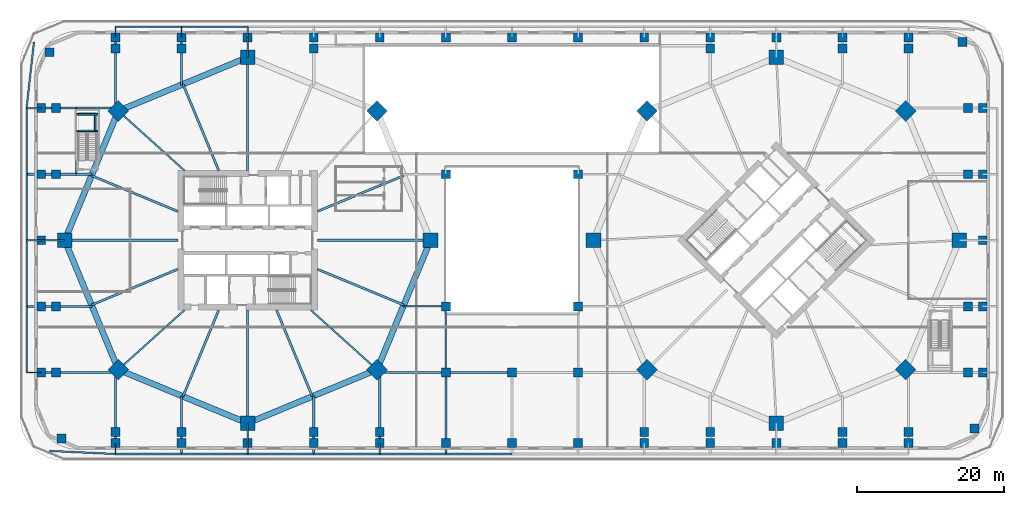
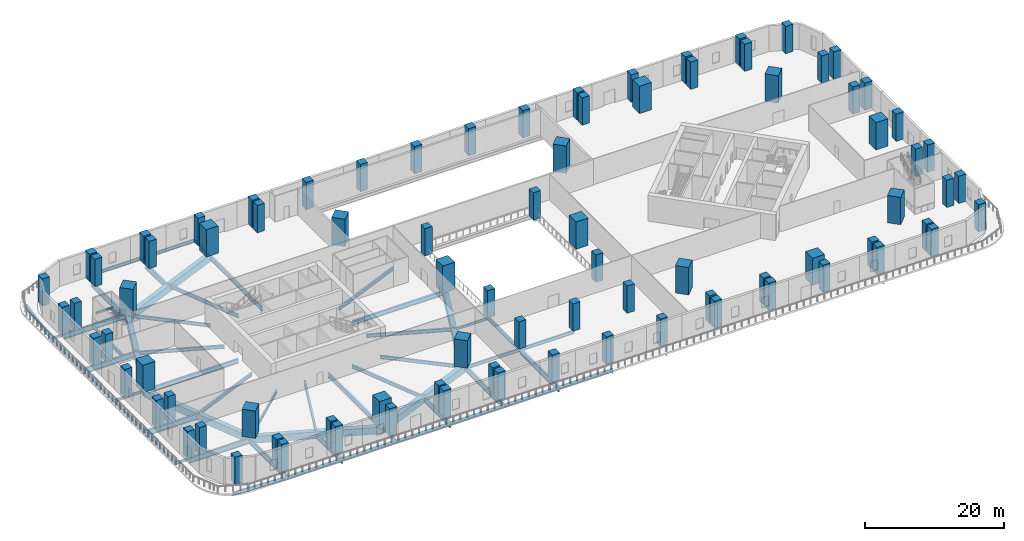
# One storey, part 1 of 17: 85 columns, 65 beams.
"""IFC4 building model written with IfcOpenShell, lengths in metres."""

from ifc_helpers import new_model, si_unit, direction, frame, origin, origin_2d, place, context, subcontext, project, spatial, rectangle, hollow_rectangle, i_section, extrude, material, material_profile, profile_set, type_object, element, save


model = new_model("IFC4")

# Units and contexts
model_context = context("Model", 3, precision=1e-05, world=origin(), true_north=direction((0.0, 1.0)))
body_context = subcontext(model_context, "Body", "Model", "MODEL_VIEW")
ifc_project = project(units=[si_unit("LENGTHUNIT", "METRE"), si_unit("AREAUNIT", "SQUARE_METRE"), si_unit("VOLUMEUNIT", "CUBIC_METRE"), si_unit("PLANEANGLEUNIT", "RADIAN"), si_unit("MASSUNIT", "GRAM", prefix="KILO")], contexts=[model_context])

# Site, building, storey
site_placement = place(None, origin())
site = spatial("IfcSite", under=ifc_project, at=site_placement, CompositionType="ELEMENT")
building_placement = place(site_placement, origin())
building = spatial("IfcBuilding", under=site, at=building_placement, Name="Ogive Gate Towers", CompositionType="ELEMENT")
storey_placement = place(building_placement, frame((0.0, 0.0, 18.0)))
storey = spatial("IfcBuildingStorey", under=building, at=storey_placement, Name="L03", CompositionType="ELEMENT", Elevation=18.0)

# Columns
ifc_material_1 = material(Name="Concrete C50/60", Category="concrete")
ifc_material_profile_1 = material_profile(ifc_material_1, rectangle(XDim=1.199951171875, YDim=1.199951171875, at=origin_2d()), Name="RC 1200x1200")
ifc_profile_set_1 = profile_set([ifc_material_profile_1], Name="Concrete C50/60")
column_type_1 = type_object("IfcColumnType", Name="Column RC 1200x1200", PredefinedType="COLUMN", material=ifc_profile_set_1)
for number, where, z_axis, x_axis, name in (
    (1, (-64.10009765625, -18.0, 0.0), (0.0, 0.0, 1.0), (1.0, 0.0, 0.0), "PD/L03/SCL001"),
    (2, (-64.10009765625, -9.0, 0.0), (0.0, 0.0, 1.0), (1.0, 0.0, 0.0), "PD/L03/SCL002"),
    (3, (-64.10009765625, 0.0, 0.0), (0.0, 0.0, 1.0), (1.0, 0.0, 0.0), "PD/L03/SCL003"),
    (4, (-64.10009765625, 9.0, 0.0), (0.0, 0.0, 1.0), (1.0, 0.0, 0.0), "PD/L03/SCL004"),
    (5, (-64.10009765625, 18.0, 0.0), (0.0, 0.0, 1.0), (1.0, 0.0, 0.0), "PD/L03/SCL005"),
    (6, (-63.0, 25.61962890625, 0.0), (0.0, 0.0, 1.0), (1.0, 0.0, 0.0), "PD/L03/SCL006"),
    (7, (-62.10009765625, -18.0, 0.0), (0.0, 0.0, 1.0), (1.0, 0.0, 0.0), "PD/L03/SCL007"),
    (8, (-62.10009765625, -9.0, 0.0), (0.0, 0.0, 1.0), (1.0, 0.0, 0.0), "PD/L03/SCL008"),
    (9, (-62.10009765625, 9.0, 0.0), (0.0, 0.0, 1.0), (1.0, 0.0, 0.0), "PD/L03/SCL009"),
    (10, (-62.10009765625, 18.0, 0.0), (0.0, 0.0, 1.0), (1.0, 0.0, 0.0), "PD/L03/SCL010"),
    (11, (-61.338623046875, -27.0, 0.0), (0.0, 0.0, 1.0), (1.0, 0.0, 0.0), "PD/L03/SCL011"),
    (12, (-54.0, -27.60009765625, 0.0), (0.0, 0.0, 1.0), (1.0, 0.0, 0.0), "PD/L03/SCL012"),
    (13, (-54.0, -26.10009765625, 0.0), (0.0, 0.0, 1.0), (1.0, 0.0, 0.0), "PD/L03/SCL013"),
    (14, (-54.0, 26.10009765625, 0.0), (0.0, 0.0, 1.0), (1.0, 0.0, 0.0), "PD/L03/SCL014"),
    (15, (-54.0, 27.60009765625, 0.0), (0.0, 0.0, 1.0), (1.0, 0.0, 0.0), "PD/L03/SCL015"),
    (16, (-45.0, -27.60009765625, 0.0), (0.0, 0.0, 1.0), (1.0, 0.0, 0.0), "PD/L03/SCL016"),
    (17, (-45.0, -26.10009765625, 0.0), (0.0, 0.0, 1.0), (1.0, 0.0, 0.0), "PD/L03/SCL017"),
    (18, (-45.0, 26.10009765625, 0.0), (0.0, 0.0, 1.0), (1.0, 0.0, 0.0), "PD/L03/SCL018"),
    (19, (-45.0, 27.60009765625, 0.0), (0.0, 0.0, 1.0), (1.0, 0.0, 0.0), "PD/L03/SCL019"),
    (20, (-36.0, -27.60009765625, 0.0), (0.0, 0.0, 1.0), (1.0, 0.0, 0.0), "PD/L03/SCL020"),
    (21, (-36.0, 27.60009765625, 0.0), (0.0, 0.0, 1.0), (1.0, 0.0, 0.0), "PD/L03/SCL021"),
    (22, (-27.0, -27.60009765625, 0.0), (0.0, 0.0, 1.0), (1.0, 0.0, 0.0), "PD/L03/SCL022"),
    (23, (-27.0, -26.10009765625, 0.0), (0.0, 0.0, 1.0), (1.0, 0.0, 0.0), "PD/L03/SCL023"),
    (24, (-27.0, 26.10009765625, 0.0), (0.0, 0.0, 1.0), (1.0, 0.0, 0.0), "PD/L03/SCL024"),
    (25, (-27.0, 27.60009765625, 0.0), (0.0, 0.0, 1.0), (1.0, 0.0, 0.0), "PD/L03/SCL025"),
    (26, (-18.0, -27.60009765625, 0.0), (0.0, 0.0, 1.0), (1.0, 0.0, 0.0), "PD/L03/SCL026"),
    (27, (-18.0, -26.10009765625, 0.0), (0.0, 0.0, 1.0), (1.0, 0.0, 0.0), "PD/L03/SCL027"),
    (28, (-18.0, 27.60009765625, 0.0), (0.0, 0.0, 1.0), (1.0, 0.0, 0.0), "PD/L03/SCL028"),
    (29, (-9.0, -27.60009765625, 0.0), (0.0, 0.0, 1.0), (1.0, 0.0, 0.0), "PD/L03/SCL029"),
    (30, (-9.0, -18.0, 0.0), (0.0, 0.0, 1.0), (1.0, 0.0, 0.0), "PD/L03/SCL030"),
    (31, (-9.0, -9.0, 0.0), (0.0, 0.0, 1.0), (1.0, 0.0, 0.0), "PD/L03/SCL031"),
    (32, (-9.0, 9.0, 0.0), (0.0, 0.0, 1.0), (1.0, 0.0, 0.0), "PD/L03/SCL032"),
    (33, (-9.0, 27.60009765625, 0.0), (0.0, 0.0, 1.0), (1.0, 0.0, 0.0), "PD/L03/SCL033"),
    (34, (0.0, -27.60009765625, 0.0), (0.0, 0.0, 1.0), (1.0, 0.0, 0.0), "PD/L03/SCL034"),
    (35, (0.0, -18.0, 0.0), (0.0, 0.0, 1.0), (1.0, 0.0, 0.0), "PD/L03/SCL035"),
    (36, (0.0, 27.60009765625, 0.0), (0.0, 0.0, 1.0), (1.0, 0.0, 0.0), "PD/L03/SCL036"),
    (37, (9.0, -27.60009765625, 0.0), (0.0, 0.0, 1.0), (1.0, 0.0, 0.0), "PD/L03/SCL037"),
    (38, (9.0, -18.0, 0.0), (0.0, 0.0, 1.0), (1.0, 0.0, 0.0), "PD/L03/SCL038"),
    (39, (9.0, -9.0, 0.0), (0.0, 0.0, 1.0), (1.0, 0.0, 0.0), "PD/L03/SCL039"),
    (40, (9.0, 9.0, 0.0), (0.0, 0.0, 1.0), (1.0, 0.0, 0.0), "PD/L03/SCL040"),
    (41, (9.0, 27.60009765625, 0.0), (0.0, 0.0, 1.0), (1.0, 0.0, 0.0), "PD/L03/SCL041"),
    (42, (18.0, -27.60009765625, 0.0), (0.0, 0.0, 1.0), (1.0, 0.0, 0.0), "PD/L03/SCL042"),
    (43, (18.0, -26.10009765625, 0.0), (0.0, 0.0, 1.0), (1.0, 0.0, 0.0), "PD/L03/SCL043"),
    (44, (18.0, 27.60009765625, 0.0), (0.0, 0.0, 1.0), (1.0, 0.0, 0.0), "PD/L03/SCL044"),
    (45, (27.0, -27.60009765625, 0.0), (0.0, 0.0, 1.0), (1.0, 0.0, 0.0), "PD/L03/SCL045"),
    (46, (27.0, -26.10009765625, 0.0), (0.0, 0.0, 1.0), (1.0, 0.0, 0.0), "PD/L03/SCL046"),
    (47, (27.0, 26.10009765625, 0.0), (0.0, 0.0, 1.0), (1.0, 0.0, 0.0), "PD/L03/SCL047"),
    (48, (27.0, 27.60009765625, 0.0), (0.0, 0.0, 1.0), (1.0, 0.0, 0.0), "PD/L03/SCL048"),
    (49, (36.0, -27.60009765625, 0.0), (0.0, 0.0, 1.0), (1.0, 0.0, 0.0), "PD/L03/SCL049"),
    (50, (36.0, 27.60009765625, 0.0), (0.0, 0.0, 1.0), (1.0, 0.0, 0.0), "PD/L03/SCL050"),
    (51, (45.0, -27.60009765625, 0.0), (0.0, 0.0, 1.0), (1.0, 0.0, 0.0), "PD/L03/SCL051"),
    (52, (45.0, -26.10009765625, 0.0), (0.0, 0.0, 1.0), (1.0, 0.0, 0.0), "PD/L03/SCL052"),
    (53, (45.0, 26.10009765625, 0.0), (0.0, 0.0, 1.0), (1.0, 0.0, 0.0), "PD/L03/SCL053"),
    (54, (45.0, 27.60009765625, 0.0), (0.0, 0.0, 1.0), (1.0, 0.0, 0.0), "PD/L03/SCL054"),
    (55, (54.0, -27.60009765625, 0.0), (0.0, 0.0, 1.0), (1.0, 0.0, 0.0), "PD/L03/SCL055"),
    (56, (54.0, -26.10009765625, 0.0), (0.0, 0.0, 1.0), (1.0, 0.0, 0.0), "PD/L03/SCL056"),
    (57, (54.0, 26.10009765625, 0.0), (0.0, 0.0, 1.0), (1.0, 0.0, 0.0), "PD/L03/SCL057"),
    (58, (54.0, 27.60009765625, 0.0), (0.0, 0.0, 1.0), (1.0, 0.0, 0.0), "PD/L03/SCL058"),
    (59, (61.338623046875, 27.0, 0.0), (0.0, 0.0, 1.0), (1.0, 0.0, 0.0), "PD/L03/SCL059"),
    (60, (62.10009765625, -18.0, 0.0), (0.0, 0.0, 1.0), (1.0, 0.0, 0.0), "PD/L03/SCL060"),
    (61, (62.10009765625, -9.0, 0.0), (0.0, 0.0, 1.0), (1.0, 0.0, 0.0), "PD/L03/SCL061"),
    (62, (62.10009765625, 9.0, 0.0), (0.0, 0.0, 1.0), (1.0, 0.0, 0.0), "PD/L03/SCL062"),
    (63, (62.10009765625, 18.0, 0.0), (0.0, 0.0, 1.0), (1.0, 0.0, 0.0), "PD/L03/SCL063"),
    (64, (63.0, -25.61962890625, 0.0), (0.0, 0.0, 1.0), (1.0, 0.0, 0.0), "PD/L03/SCL064"),
    (65, (64.10009765625, -18.0, 0.0), (0.0, 0.0, 1.0), (1.0, 0.0, 0.0), "PD/L03/SCL065"),
    (66, (64.10009765625, -9.0, 0.0), (0.0, 0.0, 1.0), (1.0, 0.0, 0.0), "PD/L03/SCL066"),
    (67, (64.10009765625, 0.0, 0.0), (0.0, 0.0, 1.0), (1.0, 0.0, 0.0), "PD/L03/SCL067"),
    (68, (64.10009765625, 9.0, 0.0), (0.0, 0.0, 1.0), (1.0, 0.0, 0.0), "PD/L03/SCL068"),
    (69, (64.10009765625, 18.0, 0.0), (0.0, 0.0, 1.0), (1.0, 0.0, 0.0), "PD/L03/SCL069"),
):
    element("IfcColumn", number, at=place(storey_placement, frame(where, z_axis=z_axis, x_axis=x_axis)), inside=storey, type_object=column_type_1, Name=name, PredefinedType="COLUMN", context=body_context, shape_type="SweptSolid", body=[
        extrude(rectangle(XDim=1.199951171875, YDim=1.199951171875, at=origin_2d()), origin(), (0.0, 0.0, 1.0), 4.800048828125),
    ])
ifc_material_2 = material(Name="Concrete C70/85", Category="concrete")
ifc_material_profile_2 = material_profile(ifc_material_2, rectangle(XDim=2.0, YDim=2.0, at=origin_2d()), Name="RC 2000x2000")
ifc_profile_set_2 = profile_set([ifc_material_profile_2], Name="Concrete C70/85")
column_type_2 = type_object("IfcColumnType", Name="Mega column 2000 x 2000", PredefinedType="COLUMN", material=ifc_profile_set_2)
for number, where, z_axis, x_axis, name in (
    (70, (-11.090087890625, 0.0, 0.0), (0.0, 0.0, 1.0), (1.0, 0.0, 0.0), "T1/L03/SCL001"),
    (71, (-18.385986328125, 17.614013671875, 0.0), (0.0, 0.0, 1.0), (0.707106781187, 0.707106781187, 0.0), "T1/L03/SCL002"),
    (72, (-36.0, 24.909912109375, 0.0), (0.0, 0.0, 1.0), (0.0, 1.0, 0.0), "T1/L03/SCL003"),
    (73, (-53.614013671875, 17.614013671875, 0.0), (0.0, 0.0, 1.0), (-0.707106781187, 0.707106781187, 0.0), "T1/L03/SCL004"),
    (74, (-60.909912109375, 0.0, 0.0), (0.0, 0.0, 1.0), (-1.0, 0.0, 0.0), "T1/L03/SCL005"),
    (75, (-53.614013671875, -17.614013671875, 0.0), (0.0, 0.0, 1.0), (-0.707106781187, -0.707106781187, 0.0), "T1/L03/SCL006"),
    (76, (-36.0, -24.909912109375, 0.0), (0.0, 0.0, 1.0), (0.0, -1.0, 0.0), "T1/L03/SCL007"),
    (77, (-18.385986328125, -17.614013671875, 0.0), (0.0, 0.0, 1.0), (0.707106781187, -0.707106781187, 0.0), "T1/L03/SCL008"),
    (78, (60.909912109375, 0.0, 0.0), (0.0, 0.0, 1.0), (1.0, 0.0, 0.0), "T2/L03/SCL001"),
    (79, (53.614013671875, 17.614013671875, 0.0), (0.0, 0.0, 1.0), (0.707106781187, 0.707106781187, 0.0), "T2/L03/SCL002"),
    (80, (36.0, 24.909912109375, 0.0), (0.0, 0.0, 1.0), (0.0, 1.0, 0.0), "T2/L03/SCL003"),
    (81, (18.385986328125, 17.614013671875, 0.0), (0.0, 0.0, 1.0), (-0.707106781187, 0.707106781187, 0.0), "T2/L03/SCL004"),
    (82, (11.090087890625, 0.0, 0.0), (0.0, 0.0, 1.0), (-1.0, 0.0, 0.0), "T2/L03/SCL005"),
    (83, (18.385986328125, -17.614013671875, 0.0), (0.0, 0.0, 1.0), (-0.707106781187, -0.707106781187, 0.0), "T2/L03/SCL006"),
    (84, (36.0, -24.909912109375, 0.0), (0.0, 0.0, 1.0), (0.0, -1.0, 0.0), "T2/L03/SCL007"),
    (85, (53.614013671875, -17.614013671875, 0.0), (0.0, 0.0, 1.0), (0.707106781187, -0.707106781187, 0.0), "T2/L03/SCL008"),
):
    element("IfcColumn", number, at=place(storey_placement, frame(where, z_axis=z_axis, x_axis=x_axis)), inside=storey, type_object=column_type_2, Name=name, PredefinedType="COLUMN", context=body_context, shape_type="SweptSolid", body=[
        extrude(rectangle(XDim=2.0, YDim=2.0, at=origin_2d()), origin(), (0.0, 0.0, 1.0), 4.800048828125),
    ])

# Beams
ifc_material_3 = material(Name="Steel SM460", Category="steel")
ifc_material_profile_3 = material_profile(ifc_material_3, hollow_rectangle(XDim=0.800048828125, YDim=1.199951171875, WallThickness=0.050048828125, at=origin_2d()), Name="BX 1200x800x50")
ifc_profile_set_3 = profile_set([ifc_material_profile_3], Name="Steel SM460")
beam_type_1 = type_object("IfcBeamType", Name="Edge girder BX 1200x800x50", PredefinedType="BEAM", material=ifc_profile_set_3)
for number, where, z_axis, x_axis, name in (
    (86, (-53.614013671875, -17.614013671875, -0.89990234375), (0.923880736283, -0.382680526191, 0.0), (0.382680526191, 0.923880736283, 0.0), "T1/L03/SBM017"),
    (87, (-36.0, -24.909912109375, -0.89990234375), (0.923880736283, 0.382680526191, 0.0), (-0.382680526191, 0.923880736283, 0.0), "T1/L03/SBM018"),
    (88, (-18.385986328125, -17.614013671875, -0.89990234375), (0.382680526191, 0.923880736283, 0.0), (-0.923880736283, 0.382680526191, 0.0), "T1/L03/SBM019"),
    (89, (-36.0, 24.909912109375, -0.89990234375), (-0.923880736283, -0.382680526191, 0.0), (0.382680526191, -0.923880736283, 0.0), "T1/L03/SBM022"),
    (90, (-53.614013671875, 17.614013671875, -0.89990234375), (-0.382680526191, -0.923880736283, 0.0), (0.923880736283, -0.382680526191, 0.0), "T1/L03/SBM023"),
    (91, (-60.909912109375, 0.0, -0.89990234375), (0.382680526191, -0.923880736283, 0.0), (0.923880736283, 0.382680526191, 0.0), "T1/L03/SBM024"),
):
    element("IfcBeam", number, at=place(storey_placement, frame(where, z_axis=z_axis, x_axis=x_axis)), inside=storey, type_object=beam_type_1, Name=name, PredefinedType="BEAM", context=body_context, shape_type="SweptSolid", body=[
        extrude(hollow_rectangle(XDim=0.800048828125, YDim=1.199951171875, WallThickness=0.050048828125, at=origin_2d()), origin(), (0.0, 0.0, 1.0), 19.065185546875),
    ])
ifc_material_4 = material(Name="Steel SM355", Category="steel")
ifc_material_profile_4 = material_profile(ifc_material_4, i_section(OverallWidth=0.18994140625, OverallDepth=0.449951171875, WebThickness=0.009521484375, FlangeThickness=0.0146484375, FilletRadius=0.02099609375, at=origin_2d()), Name="IPE 450")
ifc_profile_set_4 = profile_set([ifc_material_profile_4], Name="Steel SM355")
beam_type_2 = type_object("IfcBeamType", Name="Floor beam IPE 450", PredefinedType="BEAM", material=ifc_profile_set_4)
for number, where, z_axis, x_axis, name in (
    (92, (-54.0, -29.10009765625, -0.52490234375), (0.0, 1.0, 0.0), (-1.0, 0.0, 0.0), "PD/L03/SBM026"),
    (93, (-54.0, 27.60009765625, -0.52490234375), (0.0, 1.0, 0.0), (-1.0, 0.0, 0.0), "PD/L03/SBM027"),
    (94, (-45.0, 27.60009765625, -0.52490234375), (0.0, 1.0, 0.0), (-1.0, 0.0, 0.0), "PD/L03/SBM028"),
    (95, (-36.0, -29.10009765625, -0.52490234375), (0.0, 1.0, 0.0), (-1.0, 0.0, 0.0), "PD/L03/SBM029"),
):
    element("IfcBeam", number, at=place(storey_placement, frame(where, z_axis=z_axis, x_axis=x_axis)), inside=storey, type_object=beam_type_2, Name=name, PredefinedType="BEAM", context=body_context, shape_type="SweptSolid", body=[
        extrude(i_section(OverallWidth=0.18994140625, OverallDepth=0.449951171875, WebThickness=0.009521484375, FlangeThickness=0.0146484375, FilletRadius=0.02099609375, at=origin_2d()), origin(), (0.0, 0.0, 1.0), 1.5),
    ])
for number, where, z_axis, x_axis, name in (
    (96, (-36.0, -27.60009765625, -0.52490234375), (0.0, 1.0, 0.0), (-1.0, 0.0, 0.0), "PD/L03/SBM030"),
    (97, (-36.0, 24.909912109375, -0.52490234375), (0.0, 1.0, 0.0), (-1.0, 0.0, 0.0), "PD/L03/SBM031"),
):
    element("IfcBeam", number, at=place(storey_placement, frame(where, z_axis=z_axis, x_axis=x_axis)), inside=storey, type_object=beam_type_2, Name=name, PredefinedType="BEAM", context=body_context, shape_type="SweptSolid", body=[
        extrude(i_section(OverallWidth=0.18994140625, OverallDepth=0.449951171875, WebThickness=0.009521484375, FlangeThickness=0.0146484375, FilletRadius=0.02099609375, at=origin_2d()), origin(), (0.0, 0.0, 1.0), 2.690185546875),
    ])
for number, where, z_axis, x_axis, name in (
    (98, (-36.0, 27.60009765625, -0.52490234375), (0.0, 1.0, 0.0), (-1.0, 0.0, 0.0), "PD/L03/SBM032"),
    (99, (-18.0, -29.10009765625, -0.52490234375), (0.0, 1.0, 0.0), (-1.0, 0.0, 0.0), "PD/L03/SBM034"),
):
    element("IfcBeam", number, at=place(storey_placement, frame(where, z_axis=z_axis, x_axis=x_axis)), inside=storey, type_object=beam_type_2, Name=name, PredefinedType="BEAM", context=body_context, shape_type="SweptSolid", body=[
        extrude(i_section(OverallWidth=0.18994140625, OverallDepth=0.449951171875, WebThickness=0.009521484375, FlangeThickness=0.0146484375, FilletRadius=0.02099609375, at=origin_2d()), origin(), (0.0, 0.0, 1.0), 1.5),
    ])
for number, where, z_axis, x_axis, name in (
    (100, (-66.10009765625, -18.0, -0.52490234375), (1.0, 0.0, 0.0), (0.0, 1.0, 0.0), "PD/L03/SBM051"),
    (101, (-66.10009765625, 0.0, -0.52490234375), (1.0, 0.0, 0.0), (0.0, 1.0, 0.0), "PD/L03/SBM058"),
):
    element("IfcBeam", number, at=place(storey_placement, frame(where, z_axis=z_axis, x_axis=x_axis)), inside=storey, type_object=beam_type_2, Name=name, PredefinedType="BEAM", context=body_context, shape_type="SweptSolid", body=[
        extrude(i_section(OverallWidth=0.18994140625, OverallDepth=0.449951171875, WebThickness=0.009521484375, FlangeThickness=0.0146484375, FilletRadius=0.02099609375, at=origin_2d()), origin(), (0.0, 0.0, 1.0), 2.0),
    ])
beam_1_placement = place(storey_placement, frame((-64.10009765625, 0.0, -0.52490234375), z_axis=(1.0, 0.0, 0.0), x_axis=(0.0, 1.0, 0.0)))
element("IfcBeam", 102, at=beam_1_placement, inside=storey, type_object=beam_type_2, Name="PD/L03/SBM059", PredefinedType="BEAM", context=body_context, shape_type="SweptSolid", body=[
    extrude(i_section(OverallWidth=0.18994140625, OverallDepth=0.449951171875, WebThickness=0.009521484375, FlangeThickness=0.0146484375, FilletRadius=0.02099609375, at=origin_2d()), origin(), (0.0, 0.0, 1.0), 3.190185546875),
])
beam_2_placement = place(storey_placement, frame((-66.10009765625, 18.0, -0.52490234375), z_axis=(1.0, 0.0, 0.0), x_axis=(0.0, 1.0, 0.0)))
element("IfcBeam", 103, at=beam_2_placement, inside=storey, type_object=beam_type_2, Name="PD/L03/SBM063", PredefinedType="BEAM", context=body_context, shape_type="SweptSolid", body=[
    extrude(i_section(OverallWidth=0.18994140625, OverallDepth=0.449951171875, WebThickness=0.009521484375, FlangeThickness=0.0146484375, FilletRadius=0.02099609375, at=origin_2d()), origin(), (0.0, 0.0, 1.0), 2.0),
])
beam_3_placement = place(storey_placement, frame((-9.0, -9.0, -0.52490234375), z_axis=(-1.0, 0.0, 0.0), x_axis=(0.0, -1.0, 0.0)))
element("IfcBeam", 104, at=beam_3_placement, inside=storey, type_object=beam_type_2, Name="PD/L03/SBM101", PredefinedType="BEAM", context=body_context, shape_type="SweptSolid", body=[
    extrude(i_section(OverallWidth=0.18994140625, OverallDepth=0.449951171875, WebThickness=0.009521484375, FlangeThickness=0.0146484375, FilletRadius=0.02099609375, at=origin_2d()), origin(), (0.0, 0.0, 1.0), 5.81787109375),
])
ifc_material_profile_5 = material_profile(ifc_material_4, i_section(OverallWidth=0.219970703125, OverallDepth=0.60009765625, WebThickness=0.011962890625, FlangeThickness=0.01904296875, FilletRadius=0.02392578125, at=origin_2d()), Name="IPE 600")
ifc_profile_set_5 = profile_set([ifc_material_profile_5], Name="Steel SM355")
beam_type_3 = type_object("IfcBeamType", Name="Floor beam IPE 600", PredefinedType="BEAM", material=ifc_profile_set_5)
beam_4_placement = place(storey_placement, frame((-9.0, -18.0, -0.60009765625), z_axis=(0.0, 1.0, 0.0), x_axis=(-1.0, 0.0, 0.0)))
element("IfcBeam", 105, at=beam_4_placement, inside=storey, type_object=beam_type_3, Name="PD/L03/SBM036", PredefinedType="BEAM", context=body_context, shape_type="SweptSolid", body=[
    extrude(i_section(OverallWidth=0.219970703125, OverallDepth=0.60009765625, WebThickness=0.011962890625, FlangeThickness=0.01904296875, FilletRadius=0.02392578125, at=origin_2d()), origin(), (0.0, 0.0, 1.0), 9.0),
])
beam_5_placement = place(storey_placement, frame((-18.385986328125, -18.0, -0.60009765625), z_axis=(1.0, 0.0, 0.0), x_axis=(0.0, 1.0, 0.0)))
element("IfcBeam", 106, at=beam_5_placement, inside=storey, type_object=beam_type_3, Name="PD/L03/SBM052", PredefinedType="BEAM", context=body_context, shape_type="SweptSolid", body=[
    extrude(i_section(OverallWidth=0.219970703125, OverallDepth=0.60009765625, WebThickness=0.011962890625, FlangeThickness=0.01904296875, FilletRadius=0.02392578125, at=origin_2d()), origin(), (0.0, 0.0, 1.0), 9.385986328125),
])
for number, where, z_axis, x_axis, name in (
    (107, (-9.0, -18.0, -0.60009765625), (1.0, 0.0, 0.0), (0.0, 1.0, 0.0), "PD/L03/SBM053"),
    (108, (0.0, -29.10009765625, -0.60009765625), (-1.0, 0.0, 0.0), (0.0, -1.0, 0.0), "PD/L03/SBM071"),
    (109, (-9.0, -29.10009765625, -0.60009765625), (-1.0, 0.0, 0.0), (0.0, -1.0, 0.0), "PD/L03/SBM072"),
    (110, (-18.0, -29.10009765625, -0.60009765625), (-1.0, 0.0, 0.0), (0.0, -1.0, 0.0), "PD/L03/SBM073"),
    (111, (-27.0, -29.10009765625, -0.60009765625), (-1.0, 0.0, 0.0), (0.0, -1.0, 0.0), "PD/L03/SBM074"),
    (112, (-36.0, -29.10009765625, -0.60009765625), (-1.0, 0.0, 0.0), (0.0, -1.0, 0.0), "PD/L03/SBM075"),
    (113, (-45.0, -29.10009765625, -0.60009765625), (-1.0, 0.0, 0.0), (0.0, -1.0, 0.0), "PD/L03/SBM076"),
):
    element("IfcBeam", number, at=place(storey_placement, frame(where, z_axis=z_axis, x_axis=x_axis)), inside=storey, type_object=beam_type_3, Name=name, PredefinedType="BEAM", context=body_context, shape_type="SweptSolid", body=[
        extrude(i_section(OverallWidth=0.219970703125, OverallDepth=0.60009765625, WebThickness=0.011962890625, FlangeThickness=0.01904296875, FilletRadius=0.02392578125, at=origin_2d()), origin(), (0.0, 0.0, 1.0), 9.0),
    ])
beam_6_placement = place(storey_placement, frame((-54.0, -29.10009765625, -0.60009765625), z_axis=(-0.998917071536, 0.04652616677, 0.0), x_axis=(-0.04652616677, -0.998917071536, 0.0)))
element("IfcBeam", 114, at=beam_6_placement, inside=storey, type_object=beam_type_3, Name="PD/L03/SBM077", PredefinedType="BEAM", context=body_context, shape_type="SweptSolid", body=[
    extrude(i_section(OverallWidth=0.219970703125, OverallDepth=0.60009765625, WebThickness=0.011962890625, FlangeThickness=0.01904296875, FilletRadius=0.02392578125, at=origin_2d()), origin(), (0.0, 0.0, 1.0), 9.009765625),
])
for number, where, z_axis, x_axis, name in (
    (115, (-66.10009765625, -18.0, -0.60009765625), (0.0, 1.0, 0.0), (-1.0, 0.0, 0.0), "PD/L03/SBM078"),
    (116, (-66.10009765625, -9.0, -0.60009765625), (0.0, 1.0, 0.0), (-1.0, 0.0, 0.0), "PD/L03/SBM079"),
    (117, (-66.10009765625, 0.0, -0.60009765625), (0.0, 1.0, 0.0), (-1.0, 0.0, 0.0), "PD/L03/SBM080"),
    (118, (-66.10009765625, 9.0, -0.60009765625), (0.0, 1.0, 0.0), (-1.0, 0.0, 0.0), "PD/L03/SBM081"),
):
    element("IfcBeam", number, at=place(storey_placement, frame(where, z_axis=z_axis, x_axis=x_axis)), inside=storey, type_object=beam_type_3, Name=name, PredefinedType="BEAM", context=body_context, shape_type="SweptSolid", body=[
        extrude(i_section(OverallWidth=0.219970703125, OverallDepth=0.60009765625, WebThickness=0.011962890625, FlangeThickness=0.01904296875, FilletRadius=0.02392578125, at=origin_2d()), origin(), (0.0, 0.0, 1.0), 9.0),
    ])
beam_7_placement = place(storey_placement, frame((-66.10009765625, 18.0, -0.60009765625), z_axis=(0.110644574708, 0.993860039486, 0.0), x_axis=(-0.993860039486, 0.110644574708, 0.0)))
element("IfcBeam", 119, at=beam_7_placement, inside=storey, type_object=beam_type_3, Name="PD/L03/SBM082", PredefinedType="BEAM", context=body_context, shape_type="SweptSolid", body=[
    extrude(i_section(OverallWidth=0.219970703125, OverallDepth=0.60009765625, WebThickness=0.011962890625, FlangeThickness=0.01904296875, FilletRadius=0.02392578125, at=origin_2d()), origin(), (0.0, 0.0, 1.0), 9.0556640625),
])
for number, where, z_axis, x_axis, name in (
    (120, (-54.0, 29.10009765625, -0.60009765625), (1.0, 0.0, 0.0), (0.0, 1.0, 0.0), "PD/L03/SBM083"),
    (121, (-45.0, 29.10009765625, -0.60009765625), (1.0, 0.0, 0.0), (0.0, 1.0, 0.0), "PD/L03/SBM084"),
    (122, (-59.35009765625, 9.0, -0.60009765625), (0.0, 1.0, 0.0), (-1.0, 0.0, 0.0), "PD/L03/SBM110"),
):
    element("IfcBeam", number, at=place(storey_placement, frame(where, z_axis=z_axis, x_axis=x_axis)), inside=storey, type_object=beam_type_3, Name=name, PredefinedType="BEAM", context=body_context, shape_type="SweptSolid", body=[
        extrude(i_section(OverallWidth=0.219970703125, OverallDepth=0.60009765625, WebThickness=0.011962890625, FlangeThickness=0.01904296875, FilletRadius=0.02392578125, at=origin_2d()), origin(), (0.0, 0.0, 1.0), 9.0),
    ])
ifc_material_5 = material(Name="Concrete C40/50", Category="concrete")
ifc_material_profile_6 = material_profile(ifc_material_5, rectangle(XDim=0.25, YDim=0.300048828125, at=origin_2d()), Name="RC 250x300")
ifc_profile_set_6 = profile_set([ifc_material_profile_6], Name="Concrete C40/50")
beam_type_4 = type_object("IfcBeamType", Name="Landing bearer RC 250x300 (stair)", PredefinedType="BEAM", material=ifc_profile_set_6)
for number, where, z_axis, x_axis, name in (
    (123, (-56.39990234375, 14.889892578125, 2.050048828125), (-1.0, 0.0, 0.0), (0.0, -1.0, 0.0), "PS1 L03 landing 1 bearer 1"),
    (124, (-56.39990234375, 17.169921875, 2.050048828125), (-1.0, 0.0, 0.0), (0.0, -1.0, 0.0), "PS1 L03 landing 1 bearer 2"),
):
    element("IfcBeam", number, at=place(storey_placement, frame(where, z_axis=z_axis, x_axis=x_axis)), inside=storey, type_object=beam_type_4, Name=name, PredefinedType="BEAM", context=body_context, shape_type="SweptSolid", body=[
        extrude(rectangle(XDim=0.25, YDim=0.300048828125, at=origin_2d()), origin(), (0.0, 0.0, 1.0), 2.85009765625),
    ])
beam_8_placement = place(storey_placement, frame((-56.75, 15.014892578125, 2.050048828125), z_axis=(0.0, 1.0, 0.0), x_axis=(-1.0, 0.0, 0.0)))
element("IfcBeam", 125, at=beam_8_placement, inside=storey, type_object=beam_type_4, Name="PS1 L03 landing 1 bearer 3", PredefinedType="BEAM", context=body_context, shape_type="SweptSolid", body=[
    extrude(rectangle(XDim=0.25, YDim=0.300048828125, at=origin_2d()), origin(), (0.0, 0.0, 1.0), 2.030029296875),
])
ifc_material_profile_7 = material_profile(ifc_material_4, i_section(OverallWidth=0.300048828125, OverallDepth=0.590087890625, WebThickness=0.012939453125, FlangeThickness=0.02490234375, FilletRadius=0.027099609375, at=origin_2d()), Name="HE 600 A")
ifc_profile_set_7 = profile_set([ifc_material_profile_7], Name="Steel SM355")
beam_type_5 = type_object("IfcBeamType", Name="Radial floor beam HE 600 A", PredefinedType="BEAM", material=ifc_profile_set_7)
for number, where, z_axis, x_axis, name in (
    (126, (-39.93505859375, -9.5, -0.594970703125), (-0.382690523214, -0.923876595354, 0.0), (0.923876595354, -0.382690523214, 0.0), "T1/L03/SBM002"),
    (127, (-32.06494140625, -9.5, -0.594970703125), (0.382690523214, -0.923876595354, 0.0), (0.923876595354, 0.382690523214, 0.0), "T1/L03/SBM004"),
    (128, (-26.5, -3.93505859375, -0.594970703125), (0.923876595354, -0.382690523214, 0.0), (0.382690523214, 0.923876595354, 0.0), "T1/L03/SBM006"),
    (129, (-26.5, 3.93505859375, -0.594970703125), (0.923876595354, 0.382690523214, 0.0), (-0.382690523214, 0.923876595354, 0.0), "T1/L03/SBM008"),
    (130, (-39.93505859375, 9.5, -0.594970703125), (-0.382690523214, 0.923876595354, 0.0), (-0.923876595354, -0.382690523214, 0.0), "T1/L03/SBM012"),
    (131, (-45.5, 3.93505859375, -0.594970703125), (-0.923876595354, 0.382690523214, 0.0), (-0.382690523214, -0.923876595354, 0.0), "T1/L03/SBM014"),
    (132, (-45.5, -3.93505859375, -0.594970703125), (-0.923876595354, -0.382690523214, 0.0), (0.382690523214, -0.923876595354, 0.0), "T1/L03/SBM016"),
):
    element("IfcBeam", number, at=place(storey_placement, frame(where, z_axis=z_axis, x_axis=x_axis)), inside=storey, type_object=beam_type_5, Name=name, PredefinedType="BEAM", context=body_context, shape_type="SweptSolid", body=[
        extrude(i_section(OverallWidth=0.300048828125, OverallDepth=0.590087890625, WebThickness=0.012939453125, FlangeThickness=0.02490234375, FilletRadius=0.027099609375, at=origin_2d()), origin(), (0.0, 0.0, 1.0), 12.731201171875),
    ])
ifc_material_profile_8 = material_profile(ifc_material_4, i_section(OverallWidth=0.300048828125, OverallDepth=0.7900390625, WebThickness=0.014892578125, FlangeThickness=0.028076171875, FilletRadius=0.030029296875, at=origin_2d()), Name="HE 800 A")
ifc_profile_set_8 = profile_set([ifc_material_profile_8], Name="Steel SM355")
beam_type_6 = type_object("IfcBeamType", Name="Radial floor beam HE 800 A", PredefinedType="BEAM", material=ifc_profile_set_8)
for number, where, z_axis, x_axis, name in (
    (133, (-36.0, -9.5, -0.695068359375), (0.0, -1.0, 0.0), (1.0, 0.0, 0.0), "T1/L03/SBM003"),
    (134, (-26.5, 0.0, -0.695068359375), (1.0, 0.0, 0.0), (0.0, 1.0, 0.0), "T1/L03/SBM007"),
    (135, (-36.0, 9.5, -0.695068359375), (0.0, 1.0, 0.0), (-1.0, 0.0, 0.0), "T1/L03/SBM011"),
    (136, (-45.5, 0.0, -0.695068359375), (-1.0, 0.0, 0.0), (0.0, -1.0, 0.0), "T1/L03/SBM015"),
):
    element("IfcBeam", number, at=place(storey_placement, frame(where, z_axis=z_axis, x_axis=x_axis)), inside=storey, type_object=beam_type_6, Name=name, PredefinedType="BEAM", context=body_context, shape_type="SweptSolid", body=[
        extrude(i_section(OverallWidth=0.300048828125, OverallDepth=0.7900390625, WebThickness=0.014892578125, FlangeThickness=0.028076171875, FilletRadius=0.030029296875, at=origin_2d()), origin(), (0.0, 0.0, 1.0), 15.409912109375),
    ])
ifc_material_profile_9 = material_profile(ifc_material_4, i_section(OverallWidth=0.219970703125, OverallDepth=0.60009765625, WebThickness=0.011962890625, FlangeThickness=0.01904296875, FilletRadius=0.02392578125, at=origin_2d()), Name="IPE 600")
ifc_profile_set_9 = profile_set([ifc_material_profile_9], Name="Steel SM355")
beam_type_7 = type_object("IfcBeamType", Name="Radial floor beam IPE 600", PredefinedType="BEAM", material=ifc_profile_set_9)
for number, where, z_axis, x_axis, name in (
    (137, (-44.60009765625, -9.5, -0.60009765625), (-0.743233084761, -0.669032571491, 0.0), (0.669032571491, -0.743233084761, 0.0), "T1/L03/SBM001"),
    (138, (-27.39990234375, -9.5, -0.60009765625), (0.743233084761, -0.669032571491, 0.0), (0.669032571491, 0.743233084761, 0.0), "T1/L03/SBM005"),
    (139, (-44.60009765625, 9.5, -0.60009765625), (-0.743233084761, 0.669032571491, 0.0), (-0.669032571491, -0.743233084761, 0.0), "T1/L03/SBM013"),
):
    element("IfcBeam", number, at=place(storey_placement, frame(where, z_axis=z_axis, x_axis=x_axis)), inside=storey, type_object=beam_type_7, Name=name, PredefinedType="BEAM", context=body_context, shape_type="SweptSolid", body=[
        extrude(i_section(OverallWidth=0.219970703125, OverallDepth=0.60009765625, WebThickness=0.011962890625, FlangeThickness=0.01904296875, FilletRadius=0.02392578125, at=origin_2d()), origin(), (0.0, 0.0, 1.0), 12.1279296875),
    ])
ifc_material_profile_10 = material_profile(ifc_material_3, i_section(OverallWidth=0.300048828125, OverallDepth=0.989990234375, WebThickness=0.0166015625, FlangeThickness=0.031005859375, FilletRadius=0.030029296875, at=origin_2d()), Name="HE 1000 A")
ifc_profile_set_10 = profile_set([ifc_material_profile_10], Name="Steel SM460")
beam_type_8 = type_object("IfcBeamType", Name="Transfer girder HE 1000 A", PredefinedType="BEAM", material=ifc_profile_set_10)
for number, where, z_axis, x_axis, name in (
    (140, (-54.0, -27.60009765625, -0.794921875), (0.0, 1.0, 0.0), (-1.0, 0.0, 0.0), "PD/L03/SBM001"),
    (141, (-54.0, 17.614013671875, -0.794921875), (0.0, 1.0, 0.0), (-1.0, 0.0, 0.0), "PD/L03/SBM002"),
    (142, (-18.0, -27.60009765625, -0.794921875), (0.0, 1.0, 0.0), (-1.0, 0.0, 0.0), "PD/L03/SBM003"),
):
    element("IfcBeam", number, at=place(storey_placement, frame(where, z_axis=z_axis, x_axis=x_axis)), inside=storey, type_object=beam_type_8, Name=name, PredefinedType="BEAM", context=body_context, shape_type="SweptSolid", body=[
        extrude(i_section(OverallWidth=0.300048828125, OverallDepth=0.989990234375, WebThickness=0.0166015625, FlangeThickness=0.031005859375, FilletRadius=0.030029296875, at=origin_2d()), origin(), (0.0, 0.0, 1.0), 9.986083984375),
    ])
beam_9_placement = place(storey_placement, frame((-9.0, -29.10009765625, -0.794921875), z_axis=(0.0, 1.0, 0.0), x_axis=(-1.0, 0.0, 0.0)))
element("IfcBeam", 143, at=beam_9_placement, inside=storey, type_object=beam_type_8, Name="PD/L03/SBM004", PredefinedType="BEAM", context=body_context, shape_type="SweptSolid", body=[
    extrude(i_section(OverallWidth=0.300048828125, OverallDepth=0.989990234375, WebThickness=0.0166015625, FlangeThickness=0.031005859375, FilletRadius=0.030029296875, at=origin_2d()), origin(), (0.0, 0.0, 1.0), 11.10009765625),
])
for number, where, z_axis, x_axis, name in (
    (144, (-64.10009765625, -18.0, -0.794921875), (1.0, 0.0, 0.0), (0.0, 1.0, 0.0), "PD/L03/SBM010"),
    (145, (-64.10009765625, 18.0, -0.794921875), (1.0, 0.0, 0.0), (0.0, 1.0, 0.0), "PD/L03/SBM012"),
):
    element("IfcBeam", number, at=place(storey_placement, frame(where, z_axis=z_axis, x_axis=x_axis)), inside=storey, type_object=beam_type_8, Name=name, PredefinedType="BEAM", context=body_context, shape_type="SweptSolid", body=[
        extrude(i_section(OverallWidth=0.300048828125, OverallDepth=0.989990234375, WebThickness=0.0166015625, FlangeThickness=0.031005859375, FilletRadius=0.030029296875, at=origin_2d()), origin(), (0.0, 0.0, 1.0), 10.486083984375),
    ])
for number, where, z_axis, x_axis, name in (
    (146, (-66.10009765625, -9.0, -0.794921875), (1.0, 0.0, 0.0), (0.0, 1.0, 0.0), "PD/L03/SBM014"),
    (147, (-66.10009765625, 9.0, -0.794921875), (1.0, 0.0, 0.0), (0.0, 1.0, 0.0), "PD/L03/SBM015"),
):
    element("IfcBeam", number, at=place(storey_placement, frame(where, z_axis=z_axis, x_axis=x_axis)), inside=storey, type_object=beam_type_8, Name=name, PredefinedType="BEAM", context=body_context, shape_type="SweptSolid", body=[
        extrude(i_section(OverallWidth=0.300048828125, OverallDepth=0.989990234375, WebThickness=0.0166015625, FlangeThickness=0.031005859375, FilletRadius=0.030029296875, at=origin_2d()), origin(), (0.0, 0.0, 1.0), 8.91796875),
    ])
beam_10_placement = place(storey_placement, frame((-45.0, -29.10009765625, -0.794921875), z_axis=(0.0, 1.0, 0.0), x_axis=(-1.0, 0.0, 0.0)))
element("IfcBeam", 148, at=beam_10_placement, inside=storey, type_object=beam_type_8, Name="PD/L03/SBM016", PredefinedType="BEAM", context=body_context, shape_type="SweptSolid", body=[
    extrude(i_section(OverallWidth=0.300048828125, OverallDepth=0.989990234375, WebThickness=0.0166015625, FlangeThickness=0.031005859375, FilletRadius=0.030029296875, at=origin_2d()), origin(), (0.0, 0.0, 1.0), 7.91796875),
])
beam_11_placement = place(storey_placement, frame((-45.0, 27.60009765625, -0.794921875), z_axis=(0.0, -1.0, 0.0), x_axis=(1.0, 0.0, 0.0)))
element("IfcBeam", 149, at=beam_11_placement, inside=storey, type_object=beam_type_8, Name="PD/L03/SBM017", PredefinedType="BEAM", context=body_context, shape_type="SweptSolid", body=[
    extrude(i_section(OverallWidth=0.300048828125, OverallDepth=0.989990234375, WebThickness=0.0166015625, FlangeThickness=0.031005859375, FilletRadius=0.030029296875, at=origin_2d()), origin(), (0.0, 0.0, 1.0), 6.41796875),
])
beam_12_placement = place(storey_placement, frame((-27.0, -29.10009765625, -0.794921875), z_axis=(0.0, 1.0, 0.0), x_axis=(-1.0, 0.0, 0.0)))
element("IfcBeam", 150, at=beam_12_placement, inside=storey, type_object=beam_type_8, Name="PD/L03/SBM018", PredefinedType="BEAM", context=body_context, shape_type="SweptSolid", body=[
    extrude(i_section(OverallWidth=0.300048828125, OverallDepth=0.989990234375, WebThickness=0.0166015625, FlangeThickness=0.031005859375, FilletRadius=0.030029296875, at=origin_2d()), origin(), (0.0, 0.0, 1.0), 7.91796875),
])

save(model, "model.ifc")
